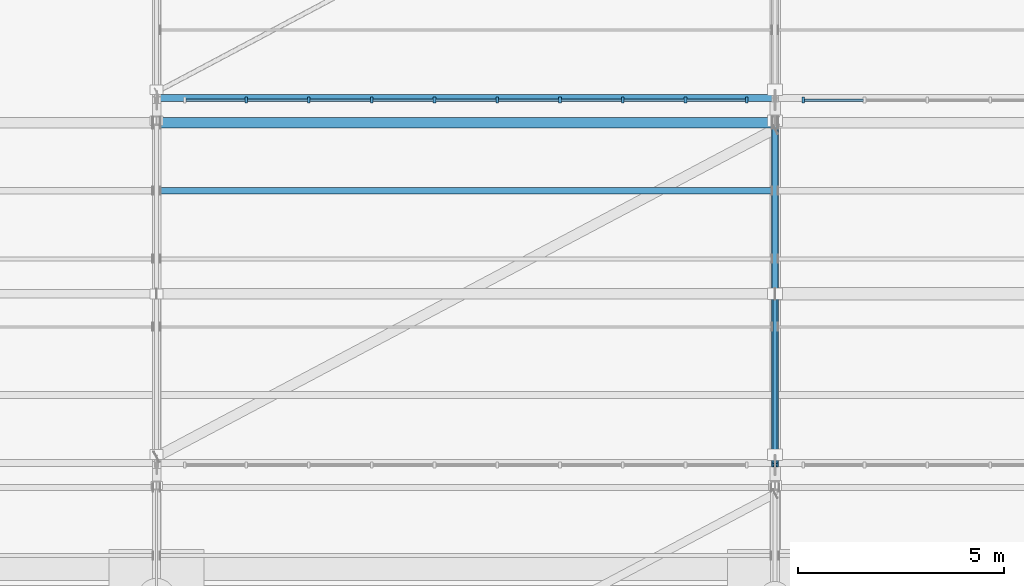
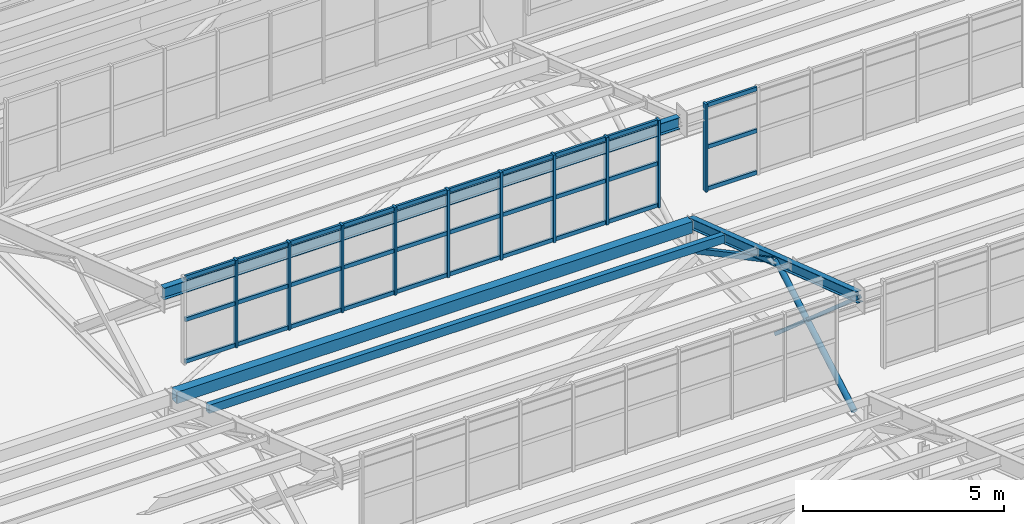
# One storey, part 67 of 285: 43 members, 4 beams, 2 elements without a shape of their own.
"""IFC4 building model written with IfcOpenShell, lengths in metres."""

from ifc_helpers import new_model, si_unit, direction, frame, origin, origin_2d, place, context, subcontext, project, spatial, rectangle, hollow_rectangle, hollow_circle, i_section, extrude, material, material_profile, profile_set, type_object, element, aggregate, save


model = new_model("IFC4")

# Units and contexts
model_context = context("Model", 3, precision=1e-05, world=origin(), true_north=direction((0.0, 1.0)))
body_context = subcontext(model_context, "Body", "Model", "MODEL_VIEW")
ifc_project = project(units=[si_unit("LENGTHUNIT", "METRE"), si_unit("AREAUNIT", "SQUARE_METRE"), si_unit("VOLUMEUNIT", "CUBIC_METRE"), si_unit("PLANEANGLEUNIT", "RADIAN"), si_unit("MASSUNIT", "GRAM", prefix="KILO")], contexts=[model_context])

# Site, building, storey
site_placement = place(None, origin())
site = spatial("IfcSite", under=ifc_project, at=site_placement, CompositionType="ELEMENT")
building_placement = place(site_placement, origin())
building = spatial("IfcBuilding", under=site, at=building_placement, Name="Solanera Park Tramway Depot", CompositionType="ELEMENT")
storey_placement = place(building_placement, origin())
storey = spatial("IfcBuildingStorey", under=building, at=storey_placement, Name="L00", CompositionType="ELEMENT", Elevation=0.0)

# Curtain wall, members
ifc_material_1 = material(Name="Bronze-anodised thermally broken aluminium curtain wall", Category="aluminium")
curtain_wall_type = type_object("IfcCurtainWallType", Name="Sawtooth Clerestory Monitor Curtain Wall", PredefinedType="NOTDEFINED", material=ifc_material_1)
curtain_wall_1_placement = place(storey_placement, origin())
curtain_wall_1 = element("IfcCurtainWall", 1, at=curtain_wall_1_placement, inside=storey, type_object=curtain_wall_type, Name="L00 Sawtooth Clerestory Monitor Curtain Wall #060", PredefinedType="NOTDEFINED")
ifc_material_2 = material(Name="Bronze-anodised structural aluminium 6063-T6", Category="aluminium")
ifc_material_profile_1 = material_profile(ifc_material_2, rectangle(XDim=0.06494140625, YDim=0.14990234375, at=origin_2d()), Name="Curtain Wall Mullion 65x150")
ifc_profile_set_1 = profile_set([ifc_material_profile_1], Name="Bronze-anodised structural aluminium 6063-T6")
member_type_1 = type_object("IfcMemberType", Name="Curtain Wall Mullion 65x150", PredefinedType="MULLION", material=ifc_profile_set_1)
member_1_placement = place(storey_placement, frame((17.172119140625, 126.550048828125, 7.75), z_axis=(0.0, 0.0, 1.0), x_axis=(1.0, 0.0, 0.0)))
member_1 = element("IfcMember", 2, at=member_1_placement, type_object=member_type_1, Name="CW-L00-060 Mullion 2", PredefinedType="MULLION", context=body_context, shape_type="SweptSolid", body=[
    extrude(rectangle(XDim=0.06494140625, YDim=0.14990234375, at=origin_2d()), origin(), (0.0, 0.0, 1.0), 2.6611328125),
])
member_2_placement = place(storey_placement, frame((18.6943359375, 126.550048828125, 7.75), z_axis=(0.0, 0.0, 1.0), x_axis=(1.0, 0.0, 0.0)))
member_2 = element("IfcMember", 3, at=member_2_placement, type_object=member_type_1, Name="CW-L00-060 Mullion 3", PredefinedType="MULLION", context=body_context, shape_type="SweptSolid", body=[
    extrude(rectangle(XDim=0.06494140625, YDim=0.14990234375, at=origin_2d()), origin(), (0.0, 0.0, 1.0), 2.6611328125),
])
member_3_placement = place(storey_placement, frame((20.216796875, 126.550048828125, 7.75), z_axis=(0.0, 0.0, 1.0), x_axis=(1.0, 0.0, 0.0)))
member_3 = element("IfcMember", 4, at=member_3_placement, type_object=member_type_1, Name="CW-L00-060 Mullion 4", PredefinedType="MULLION", context=body_context, shape_type="SweptSolid", body=[
    extrude(rectangle(XDim=0.06494140625, YDim=0.14990234375, at=origin_2d()), origin(), (0.0, 0.0, 1.0), 2.6611328125),
])
member_4_placement = place(storey_placement, frame((21.739013671875, 126.550048828125, 7.75), z_axis=(0.0, 0.0, 1.0), x_axis=(1.0, 0.0, 0.0)))
member_4 = element("IfcMember", 5, at=member_4_placement, type_object=member_type_1, Name="CW-L00-060 Mullion 5", PredefinedType="MULLION", context=body_context, shape_type="SweptSolid", body=[
    extrude(rectangle(XDim=0.06494140625, YDim=0.14990234375, at=origin_2d()), origin(), (0.0, 0.0, 1.0), 2.6611328125),
])
member_5_placement = place(storey_placement, frame((23.260986328125, 126.550048828125, 7.75), z_axis=(0.0, 0.0, 1.0), x_axis=(1.0, 0.0, 0.0)))
member_5 = element("IfcMember", 6, at=member_5_placement, type_object=member_type_1, Name="CW-L00-060 Mullion 6", PredefinedType="MULLION", context=body_context, shape_type="SweptSolid", body=[
    extrude(rectangle(XDim=0.06494140625, YDim=0.14990234375, at=origin_2d()), origin(), (0.0, 0.0, 1.0), 2.6611328125),
])
member_6_placement = place(storey_placement, frame((24.783203125, 126.550048828125, 7.75), z_axis=(0.0, 0.0, 1.0), x_axis=(1.0, 0.0, 0.0)))
member_6 = element("IfcMember", 7, at=member_6_placement, type_object=member_type_1, Name="CW-L00-060 Mullion 7", PredefinedType="MULLION", context=body_context, shape_type="SweptSolid", body=[
    extrude(rectangle(XDim=0.06494140625, YDim=0.14990234375, at=origin_2d()), origin(), (0.0, 0.0, 1.0), 2.6611328125),
])
member_7_placement = place(storey_placement, frame((26.3056640625, 126.550048828125, 7.75), z_axis=(0.0, 0.0, 1.0), x_axis=(1.0, 0.0, 0.0)))
member_7 = element("IfcMember", 8, at=member_7_placement, type_object=member_type_1, Name="CW-L00-060 Mullion 8", PredefinedType="MULLION", context=body_context, shape_type="SweptSolid", body=[
    extrude(rectangle(XDim=0.06494140625, YDim=0.14990234375, at=origin_2d()), origin(), (0.0, 0.0, 1.0), 2.6611328125),
])
member_8_placement = place(storey_placement, frame((27.827880859375, 126.550048828125, 7.75), z_axis=(0.0, 0.0, 1.0), x_axis=(1.0, 0.0, 0.0)))
member_8 = element("IfcMember", 9, at=member_8_placement, type_object=member_type_1, Name="CW-L00-060 Mullion 9", PredefinedType="MULLION", context=body_context, shape_type="SweptSolid", body=[
    extrude(rectangle(XDim=0.06494140625, YDim=0.14990234375, at=origin_2d()), origin(), (0.0, 0.0, 1.0), 2.6611328125),
])
member_9_placement = place(storey_placement, frame((29.3173828125, 126.550048828125, 7.75), z_axis=(0.0, 0.0, 1.0), x_axis=(1.0, 0.0, 0.0)))
member_9 = element("IfcMember", 10, at=member_9_placement, type_object=member_type_1, Name="CW-L00-060 Mullion 10", PredefinedType="MULLION", context=body_context, shape_type="SweptSolid", body=[
    extrude(rectangle(XDim=0.06494140625, YDim=0.14990234375, at=origin_2d()), origin(), (0.0, 0.0, 1.0), 2.6611328125),
])

# Curtain wall, member
curtain_wall_2_placement = place(storey_placement, origin())
curtain_wall_2 = element("IfcCurtainWall", 11, at=curtain_wall_2_placement, inside=storey, type_object=curtain_wall_type, Name="L00 Sawtooth Clerestory Monitor Curtain Wall #061", PredefinedType="NOTDEFINED")
member_10_placement = place(storey_placement, frame((30.6826171875, 126.550048828125, 7.75), z_axis=(0.0, 0.0, 1.0), x_axis=(1.0, 0.0, 0.0)))
member_10 = element("IfcMember", 12, at=member_10_placement, type_object=member_type_1, Name="CW-L00-061 Mullion 1", PredefinedType="MULLION", context=body_context, shape_type="SweptSolid", body=[
    extrude(rectangle(XDim=0.06494140625, YDim=0.14990234375, at=origin_2d()), origin(), (0.0, 0.0, 1.0), 2.6611328125),
])

# Member
ifc_material_3 = material(Name="Bronze-anodised structural aluminium 6063-T6", Category="aluminium")
ifc_material_profile_2 = material_profile(ifc_material_3, rectangle(XDim=0.06494140625, YDim=0.1201171875, at=origin_2d()), Name="Curtain Wall Transom 65x120")
ifc_profile_set_2 = profile_set([ifc_material_profile_2], Name="Bronze-anodised structural aluminium 6063-T6")
member_type_2 = type_object("IfcMemberType", Name="Curtain Wall Transom 65x120", PredefinedType="USERDEFINED", material=ifc_profile_set_2)
member_11_placement = place(storey_placement, frame((15.71044921875, 126.550048828125, 7.81005859375), z_axis=(1.0, 0.0, 0.0), x_axis=(0.0, 1.0, 0.0)))
member_11 = element("IfcMember", 13, at=member_11_placement, type_object=member_type_2, Name="CW-L00-060 Transom R1.C1", ObjectType="TRANSOM", PredefinedType="USERDEFINED", context=body_context, shape_type="SweptSolid", body=[
    extrude(rectangle(XDim=0.06494140625, YDim=0.1201171875, at=origin_2d()), origin(), (0.0, 0.0, 1.0), 1.433837890625),
])

member_12_placement = place(storey_placement, frame((17.2001953125, 126.550048828125, 7.81005859375), z_axis=(1.0, 0.0, 0.0), x_axis=(0.0, 1.0, 0.0)))
member_12 = element("IfcMember", 14, at=member_12_placement, type_object=member_type_2, Name="CW-L00-060 Transom R1.C2", ObjectType="TRANSOM", PredefinedType="USERDEFINED", context=body_context, shape_type="SweptSolid", body=[
    extrude(rectangle(XDim=0.06494140625, YDim=0.1201171875, at=origin_2d()), origin(), (0.0, 0.0, 1.0), 1.46630859375),
])

member_13_placement = place(storey_placement, frame((18.722412109375, 126.550048828125, 7.81005859375), z_axis=(1.0, 0.0, 0.0), x_axis=(0.0, 1.0, 0.0)))
member_13 = element("IfcMember", 15, at=member_13_placement, type_object=member_type_2, Name="CW-L00-060 Transom R1.C3", ObjectType="TRANSOM", PredefinedType="USERDEFINED", context=body_context, shape_type="SweptSolid", body=[
    extrude(rectangle(XDim=0.06494140625, YDim=0.1201171875, at=origin_2d()), origin(), (0.0, 0.0, 1.0), 1.46630859375),
])

member_14_placement = place(storey_placement, frame((20.24462890625, 126.550048828125, 7.81005859375), z_axis=(1.0, 0.0, 0.0), x_axis=(0.0, 1.0, 0.0)))
member_14 = element("IfcMember", 16, at=member_14_placement, type_object=member_type_2, Name="CW-L00-060 Transom R1.C4", ObjectType="TRANSOM", PredefinedType="USERDEFINED", context=body_context, shape_type="SweptSolid", body=[
    extrude(rectangle(XDim=0.06494140625, YDim=0.1201171875, at=origin_2d()), origin(), (0.0, 0.0, 1.0), 1.46630859375),
])

member_15_placement = place(storey_placement, frame((21.766845703125, 126.550048828125, 7.81005859375), z_axis=(1.0, 0.0, 0.0), x_axis=(0.0, 1.0, 0.0)))
member_15 = element("IfcMember", 17, at=member_15_placement, type_object=member_type_2, Name="CW-L00-060 Transom R1.C5", ObjectType="TRANSOM", PredefinedType="USERDEFINED", context=body_context, shape_type="SweptSolid", body=[
    extrude(rectangle(XDim=0.06494140625, YDim=0.1201171875, at=origin_2d()), origin(), (0.0, 0.0, 1.0), 1.46630859375),
])

member_16_placement = place(storey_placement, frame((23.2890625, 126.550048828125, 7.81005859375), z_axis=(1.0, 0.0, 0.0), x_axis=(0.0, 1.0, 0.0)))
member_16 = element("IfcMember", 18, at=member_16_placement, type_object=member_type_2, Name="CW-L00-060 Transom R1.C6", ObjectType="TRANSOM", PredefinedType="USERDEFINED", context=body_context, shape_type="SweptSolid", body=[
    extrude(rectangle(XDim=0.06494140625, YDim=0.1201171875, at=origin_2d()), origin(), (0.0, 0.0, 1.0), 1.46630859375),
])

member_17_placement = place(storey_placement, frame((24.811279296875, 126.550048828125, 7.81005859375), z_axis=(1.0, 0.0, 0.0), x_axis=(0.0, 1.0, 0.0)))
member_17 = element("IfcMember", 19, at=member_17_placement, type_object=member_type_2, Name="CW-L00-060 Transom R1.C7", ObjectType="TRANSOM", PredefinedType="USERDEFINED", context=body_context, shape_type="SweptSolid", body=[
    extrude(rectangle(XDim=0.06494140625, YDim=0.1201171875, at=origin_2d()), origin(), (0.0, 0.0, 1.0), 1.46630859375),
])

member_18_placement = place(storey_placement, frame((26.33349609375, 126.550048828125, 7.81005859375), z_axis=(1.0, 0.0, 0.0), x_axis=(0.0, 1.0, 0.0)))
member_18 = element("IfcMember", 20, at=member_18_placement, type_object=member_type_2, Name="CW-L00-060 Transom R1.C8", ObjectType="TRANSOM", PredefinedType="USERDEFINED", context=body_context, shape_type="SweptSolid", body=[
    extrude(rectangle(XDim=0.06494140625, YDim=0.1201171875, at=origin_2d()), origin(), (0.0, 0.0, 1.0), 1.46630859375),
])

member_19_placement = place(storey_placement, frame((27.855712890625, 126.550048828125, 7.81005859375), z_axis=(1.0, 0.0, 0.0), x_axis=(0.0, 1.0, 0.0)))
member_19 = element("IfcMember", 21, at=member_19_placement, type_object=member_type_2, Name="CW-L00-060 Transom R1.C9", ObjectType="TRANSOM", PredefinedType="USERDEFINED", context=body_context, shape_type="SweptSolid", body=[
    extrude(rectangle(XDim=0.06494140625, YDim=0.1201171875, at=origin_2d()), origin(), (0.0, 0.0, 1.0), 1.433837890625),
])

member_20_placement = place(storey_placement, frame((15.71044921875, 126.550048828125, 9.08056640625), z_axis=(1.0, 0.0, 0.0), x_axis=(0.0, 1.0, 0.0)))
member_20 = element("IfcMember", 22, at=member_20_placement, type_object=member_type_2, Name="CW-L00-060 Transom R2.C1", ObjectType="TRANSOM", PredefinedType="USERDEFINED", context=body_context, shape_type="SweptSolid", body=[
    extrude(rectangle(XDim=0.06494140625, YDim=0.1201171875, at=origin_2d()), origin(), (0.0, 0.0, 1.0), 1.433837890625),
])

member_21_placement = place(storey_placement, frame((17.2001953125, 126.550048828125, 9.08056640625), z_axis=(1.0, 0.0, 0.0), x_axis=(0.0, 1.0, 0.0)))
member_21 = element("IfcMember", 23, at=member_21_placement, type_object=member_type_2, Name="CW-L00-060 Transom R2.C2", ObjectType="TRANSOM", PredefinedType="USERDEFINED", context=body_context, shape_type="SweptSolid", body=[
    extrude(rectangle(XDim=0.06494140625, YDim=0.1201171875, at=origin_2d()), origin(), (0.0, 0.0, 1.0), 1.46630859375),
])

member_22_placement = place(storey_placement, frame((18.722412109375, 126.550048828125, 9.08056640625), z_axis=(1.0, 0.0, 0.0), x_axis=(0.0, 1.0, 0.0)))
member_22 = element("IfcMember", 24, at=member_22_placement, type_object=member_type_2, Name="CW-L00-060 Transom R2.C3", ObjectType="TRANSOM", PredefinedType="USERDEFINED", context=body_context, shape_type="SweptSolid", body=[
    extrude(rectangle(XDim=0.06494140625, YDim=0.1201171875, at=origin_2d()), origin(), (0.0, 0.0, 1.0), 1.46630859375),
])

member_23_placement = place(storey_placement, frame((20.24462890625, 126.550048828125, 9.08056640625), z_axis=(1.0, 0.0, 0.0), x_axis=(0.0, 1.0, 0.0)))
member_23 = element("IfcMember", 25, at=member_23_placement, type_object=member_type_2, Name="CW-L00-060 Transom R2.C4", ObjectType="TRANSOM", PredefinedType="USERDEFINED", context=body_context, shape_type="SweptSolid", body=[
    extrude(rectangle(XDim=0.06494140625, YDim=0.1201171875, at=origin_2d()), origin(), (0.0, 0.0, 1.0), 1.46630859375),
])

member_24_placement = place(storey_placement, frame((21.766845703125, 126.550048828125, 9.08056640625), z_axis=(1.0, 0.0, 0.0), x_axis=(0.0, 1.0, 0.0)))
member_24 = element("IfcMember", 26, at=member_24_placement, type_object=member_type_2, Name="CW-L00-060 Transom R2.C5", ObjectType="TRANSOM", PredefinedType="USERDEFINED", context=body_context, shape_type="SweptSolid", body=[
    extrude(rectangle(XDim=0.06494140625, YDim=0.1201171875, at=origin_2d()), origin(), (0.0, 0.0, 1.0), 1.46630859375),
])

member_25_placement = place(storey_placement, frame((23.2890625, 126.550048828125, 9.08056640625), z_axis=(1.0, 0.0, 0.0), x_axis=(0.0, 1.0, 0.0)))
member_25 = element("IfcMember", 27, at=member_25_placement, type_object=member_type_2, Name="CW-L00-060 Transom R2.C6", ObjectType="TRANSOM", PredefinedType="USERDEFINED", context=body_context, shape_type="SweptSolid", body=[
    extrude(rectangle(XDim=0.06494140625, YDim=0.1201171875, at=origin_2d()), origin(), (0.0, 0.0, 1.0), 1.46630859375),
])

member_26_placement = place(storey_placement, frame((24.811279296875, 126.550048828125, 9.08056640625), z_axis=(1.0, 0.0, 0.0), x_axis=(0.0, 1.0, 0.0)))
member_26 = element("IfcMember", 28, at=member_26_placement, type_object=member_type_2, Name="CW-L00-060 Transom R2.C7", ObjectType="TRANSOM", PredefinedType="USERDEFINED", context=body_context, shape_type="SweptSolid", body=[
    extrude(rectangle(XDim=0.06494140625, YDim=0.1201171875, at=origin_2d()), origin(), (0.0, 0.0, 1.0), 1.46630859375),
])

member_27_placement = place(storey_placement, frame((26.33349609375, 126.550048828125, 9.08056640625), z_axis=(1.0, 0.0, 0.0), x_axis=(0.0, 1.0, 0.0)))
member_27 = element("IfcMember", 29, at=member_27_placement, type_object=member_type_2, Name="CW-L00-060 Transom R2.C8", ObjectType="TRANSOM", PredefinedType="USERDEFINED", context=body_context, shape_type="SweptSolid", body=[
    extrude(rectangle(XDim=0.06494140625, YDim=0.1201171875, at=origin_2d()), origin(), (0.0, 0.0, 1.0), 1.46630859375),
])

member_28_placement = place(storey_placement, frame((27.855712890625, 126.550048828125, 9.08056640625), z_axis=(1.0, 0.0, 0.0), x_axis=(0.0, 1.0, 0.0)))
member_28 = element("IfcMember", 30, at=member_28_placement, type_object=member_type_2, Name="CW-L00-060 Transom R2.C9", ObjectType="TRANSOM", PredefinedType="USERDEFINED", context=body_context, shape_type="SweptSolid", body=[
    extrude(rectangle(XDim=0.06494140625, YDim=0.1201171875, at=origin_2d()), origin(), (0.0, 0.0, 1.0), 1.433837890625),
])

member_29_placement = place(storey_placement, frame((15.71044921875, 126.550048828125, 10.351318359375), z_axis=(1.0, 0.0, 0.0), x_axis=(0.0, 1.0, 0.0)))
member_29 = element("IfcMember", 31, at=member_29_placement, type_object=member_type_2, Name="CW-L00-060 Transom R3.C1", ObjectType="TRANSOM", PredefinedType="USERDEFINED", context=body_context, shape_type="SweptSolid", body=[
    extrude(rectangle(XDim=0.06494140625, YDim=0.1201171875, at=origin_2d()), origin(), (0.0, 0.0, 1.0), 1.433837890625),
])

member_30_placement = place(storey_placement, frame((17.2001953125, 126.550048828125, 10.351318359375), z_axis=(1.0, 0.0, 0.0), x_axis=(0.0, 1.0, 0.0)))
member_30 = element("IfcMember", 32, at=member_30_placement, type_object=member_type_2, Name="CW-L00-060 Transom R3.C2", ObjectType="TRANSOM", PredefinedType="USERDEFINED", context=body_context, shape_type="SweptSolid", body=[
    extrude(rectangle(XDim=0.06494140625, YDim=0.1201171875, at=origin_2d()), origin(), (0.0, 0.0, 1.0), 1.46630859375),
])

member_31_placement = place(storey_placement, frame((18.722412109375, 126.550048828125, 10.351318359375), z_axis=(1.0, 0.0, 0.0), x_axis=(0.0, 1.0, 0.0)))
member_31 = element("IfcMember", 33, at=member_31_placement, type_object=member_type_2, Name="CW-L00-060 Transom R3.C3", ObjectType="TRANSOM", PredefinedType="USERDEFINED", context=body_context, shape_type="SweptSolid", body=[
    extrude(rectangle(XDim=0.06494140625, YDim=0.1201171875, at=origin_2d()), origin(), (0.0, 0.0, 1.0), 1.46630859375),
])

member_32_placement = place(storey_placement, frame((20.24462890625, 126.550048828125, 10.351318359375), z_axis=(1.0, 0.0, 0.0), x_axis=(0.0, 1.0, 0.0)))
member_32 = element("IfcMember", 34, at=member_32_placement, type_object=member_type_2, Name="CW-L00-060 Transom R3.C4", ObjectType="TRANSOM", PredefinedType="USERDEFINED", context=body_context, shape_type="SweptSolid", body=[
    extrude(rectangle(XDim=0.06494140625, YDim=0.1201171875, at=origin_2d()), origin(), (0.0, 0.0, 1.0), 1.46630859375),
])

member_33_placement = place(storey_placement, frame((21.766845703125, 126.550048828125, 10.351318359375), z_axis=(1.0, 0.0, 0.0), x_axis=(0.0, 1.0, 0.0)))
member_33 = element("IfcMember", 35, at=member_33_placement, type_object=member_type_2, Name="CW-L00-060 Transom R3.C5", ObjectType="TRANSOM", PredefinedType="USERDEFINED", context=body_context, shape_type="SweptSolid", body=[
    extrude(rectangle(XDim=0.06494140625, YDim=0.1201171875, at=origin_2d()), origin(), (0.0, 0.0, 1.0), 1.46630859375),
])

member_34_placement = place(storey_placement, frame((23.2890625, 126.550048828125, 10.351318359375), z_axis=(1.0, 0.0, 0.0), x_axis=(0.0, 1.0, 0.0)))
member_34 = element("IfcMember", 36, at=member_34_placement, type_object=member_type_2, Name="CW-L00-060 Transom R3.C6", ObjectType="TRANSOM", PredefinedType="USERDEFINED", context=body_context, shape_type="SweptSolid", body=[
    extrude(rectangle(XDim=0.06494140625, YDim=0.1201171875, at=origin_2d()), origin(), (0.0, 0.0, 1.0), 1.46630859375),
])

member_35_placement = place(storey_placement, frame((24.811279296875, 126.550048828125, 10.351318359375), z_axis=(1.0, 0.0, 0.0), x_axis=(0.0, 1.0, 0.0)))
member_35 = element("IfcMember", 37, at=member_35_placement, type_object=member_type_2, Name="CW-L00-060 Transom R3.C7", ObjectType="TRANSOM", PredefinedType="USERDEFINED", context=body_context, shape_type="SweptSolid", body=[
    extrude(rectangle(XDim=0.06494140625, YDim=0.1201171875, at=origin_2d()), origin(), (0.0, 0.0, 1.0), 1.46630859375),
])

member_36_placement = place(storey_placement, frame((26.33349609375, 126.550048828125, 10.351318359375), z_axis=(1.0, 0.0, 0.0), x_axis=(0.0, 1.0, 0.0)))
member_36 = element("IfcMember", 38, at=member_36_placement, type_object=member_type_2, Name="CW-L00-060 Transom R3.C8", ObjectType="TRANSOM", PredefinedType="USERDEFINED", context=body_context, shape_type="SweptSolid", body=[
    extrude(rectangle(XDim=0.06494140625, YDim=0.1201171875, at=origin_2d()), origin(), (0.0, 0.0, 1.0), 1.46630859375),
])

member_37_placement = place(storey_placement, frame((27.855712890625, 126.550048828125, 10.351318359375), z_axis=(1.0, 0.0, 0.0), x_axis=(0.0, 1.0, 0.0)))
member_37 = element("IfcMember", 39, at=member_37_placement, type_object=member_type_2, Name="CW-L00-060 Transom R3.C9", ObjectType="TRANSOM", PredefinedType="USERDEFINED", context=body_context, shape_type="SweptSolid", body=[
    extrude(rectangle(XDim=0.06494140625, YDim=0.1201171875, at=origin_2d()), origin(), (0.0, 0.0, 1.0), 1.433837890625),
])

aggregate(curtain_wall_1, [member_1, member_2, member_3, member_4, member_5, member_6, member_7, member_8, member_9, member_11, member_12, member_13, member_14, member_15, member_16, member_17, member_18, member_19, member_20, member_21, member_22, member_23, member_24, member_25, member_26, member_27, member_28, member_29, member_30, member_31, member_32, member_33, member_34, member_35, member_36, member_37])

member_38_placement = place(storey_placement, frame((30.71044921875, 126.550048828125, 7.81005859375), z_axis=(1.0, 0.0, 0.0), x_axis=(0.0, 1.0, 0.0)))
member_38 = element("IfcMember", 40, at=member_38_placement, type_object=member_type_2, Name="CW-L00-061 Transom R1.C1", ObjectType="TRANSOM", PredefinedType="USERDEFINED", context=body_context, shape_type="SweptSolid", body=[
    extrude(rectangle(XDim=0.06494140625, YDim=0.1201171875, at=origin_2d()), origin(), (0.0, 0.0, 1.0), 1.433837890625),
])

member_39_placement = place(storey_placement, frame((30.71044921875, 126.550048828125, 9.08056640625), z_axis=(1.0, 0.0, 0.0), x_axis=(0.0, 1.0, 0.0)))
member_39 = element("IfcMember", 41, at=member_39_placement, type_object=member_type_2, Name="CW-L00-061 Transom R2.C1", ObjectType="TRANSOM", PredefinedType="USERDEFINED", context=body_context, shape_type="SweptSolid", body=[
    extrude(rectangle(XDim=0.06494140625, YDim=0.1201171875, at=origin_2d()), origin(), (0.0, 0.0, 1.0), 1.433837890625),
])

member_40_placement = place(storey_placement, frame((30.71044921875, 126.550048828125, 10.351318359375), z_axis=(1.0, 0.0, 0.0), x_axis=(0.0, 1.0, 0.0)))
member_40 = element("IfcMember", 42, at=member_40_placement, type_object=member_type_2, Name="CW-L00-061 Transom R3.C1", ObjectType="TRANSOM", PredefinedType="USERDEFINED", context=body_context, shape_type="SweptSolid", body=[
    extrude(rectangle(XDim=0.06494140625, YDim=0.1201171875, at=origin_2d()), origin(), (0.0, 0.0, 1.0), 1.433837890625),
])

aggregate(curtain_wall_2, [member_10, member_38, member_39, member_40])

ifc_material_4 = material(Name="Steel AS/NZS 1163 Grade C350L0", Category="steel")
ifc_material_profile_3 = material_profile(ifc_material_4, hollow_circle(Radius=0.084228515625, WallThickness=0.00634765625, at=origin_2d()), Name="168.3x6.4 CHS")
ifc_profile_set_3 = profile_set([ifc_material_profile_3], Name="Steel AS/NZS 1163 Grade C350L0")
member_type_3 = type_object("IfcMemberType", Name="Roof Gantry Compression Strut 168.3x6.4 CHS", PredefinedType="STRUT", material=ifc_profile_set_3)
member_41_placement = place(storey_placement, frame((30.0, 117.949951171875, 6.5), z_axis=(0.0, 0.866897509249, 0.498486417525), x_axis=(-1.0, 0.0, 0.0)))
element("IfcMember", 43, at=member_41_placement, inside=storey, type_object=member_type_3, Name="Sawtooth ROOF TRUSS Strut 168.3x6.4 CHS #0328", PredefinedType="STRUT", context=body_context, shape_type="SweptSolid", body=[
    extrude(hollow_circle(Radius=0.084228515625, WallThickness=0.00634765625, at=origin_2d()), origin(), (0.0, 0.0, 1.0), 4.4990234375),
])

# Beams
ifc_material_5 = material(Name="Steel AS/NZS 3679.1 Grade 350", Category="steel")
ifc_material_profile_4 = material_profile(ifc_material_5, i_section(OverallWidth=0.166015625, OverallDepth=0.30712890625, WebThickness=0.006591796875, FlangeThickness=0.01171875, at=origin_2d()), Name="310UB46.2")
ifc_profile_set_4 = profile_set([ifc_material_profile_4], Name="Steel AS/NZS 3679.1 Grade 350")
beam_type_1 = type_object("IfcBeamType", Name="Steel Beam 310UB46.2", PredefinedType="BEAM", material=ifc_profile_set_4)
beam_1_placement = place(storey_placement, frame((30.0, 117.699951171875, 10.131103515625), z_axis=(0.0, 0.948330572612, -0.317283981709), x_axis=(-1.0, 0.0, 0.0)))
element("IfcBeam", 44, at=beam_1_placement, inside=storey, type_object=beam_type_1, Name="Sawtooth ROOF TRUSS Top Rafter 310UB46.2 B08-T3", PredefinedType="BEAM", context=body_context, shape_type="SweptSolid", body=[
    extrude(i_section(OverallWidth=0.166015625, OverallDepth=0.30712890625, WebThickness=0.006591796875, FlangeThickness=0.01171875, at=origin_2d()), origin(), (0.0, 0.0, 1.0), 8.804931640625),
])
ifc_material_6 = material(Name="Steel AS/NZS 1163 Grade C350L0", Category="steel")
ifc_material_profile_5 = material_profile(ifc_material_6, hollow_rectangle(XDim=0.14990234375, YDim=0.25, WallThickness=0.008056640625, at=origin_2d()), Name="250x150x8.0 RHS")
ifc_profile_set_5 = profile_set([ifc_material_profile_5], Name="Steel AS/NZS 1163 Grade C350L0")
beam_type_2 = type_object("IfcBeamType", Name="Steel Joist Purlin 250x150x8.0 RHS", PredefinedType="JOIST", material=ifc_profile_set_5)
beam_2_placement = place(storey_placement, frame((15.0966796875, 124.35009765625, 7.931640625), z_axis=(1.0, 0.0, 0.0), x_axis=(0.0, 1.0, 0.0)))
element("IfcBeam", 45, at=beam_2_placement, inside=storey, type_object=beam_type_2, Name="Sawtooth Roof Purlin 250x150x8.0 RHS B08.5", PredefinedType="JOIST", context=body_context, shape_type="SweptSolid", body=[
    extrude(hollow_rectangle(XDim=0.14990234375, YDim=0.25, WallThickness=0.008056640625, at=origin_2d()), origin(), (0.0, 0.0, 1.0), 14.828369140625),
])
ifc_material_7 = material(Name="Steel AS/NZS 1163 Grade C350L0", Category="steel")
ifc_material_profile_6 = material_profile(ifc_material_7, hollow_rectangle(XDim=0.25, YDim=0.35009765625, WallThickness=0.010009765625, at=origin_2d()), Name="350x250x10.0 RHS")
ifc_profile_set_6 = profile_set([ifc_material_profile_6], Name="Steel AS/NZS 1163 Grade C350L0")
beam_type_3 = type_object("IfcBeamType", Name="Steel Joist Purlin 350x250x10.0 RHS", PredefinedType="JOIST", material=ifc_profile_set_6)
beam_3_placement = place(storey_placement, frame((15.0966796875, 126.0, 7.312744140625), z_axis=(1.0, 0.0, 0.0), x_axis=(0.0, 1.0, 0.0)))
element("IfcBeam", 46, at=beam_3_placement, inside=storey, type_object=beam_type_3, Name="Sawtooth Roof Purlin 350x250x10.0 RHS B08.6", PredefinedType="JOIST", context=body_context, shape_type="SweptSolid", body=[
    extrude(hollow_rectangle(XDim=0.25, YDim=0.35009765625, WallThickness=0.010009765625, at=origin_2d()), origin(), (0.0, 0.0, 1.0), 14.828369140625),
])
ifc_material_8 = material(Name="Steel AS/NZS 3679.1 Grade 350", Category="steel")
ifc_material_profile_7 = material_profile(ifc_material_8, i_section(OverallWidth=0.17138671875, OverallDepth=0.355712890625, WebThickness=0.00732421875, FlangeThickness=0.011474609375, at=origin_2d()), Name="360UB50.7")
ifc_profile_set_7 = profile_set([ifc_material_profile_7], Name="Steel AS/NZS 3679.1 Grade 350")
beam_type_4 = type_object("IfcBeamType", Name="Steel Joist Purlin 360UB50.7", PredefinedType="JOIST", material=ifc_profile_set_7)
beam_4_placement = place(storey_placement, frame((15.0966796875, 126.60009765625, 10.08349609375), z_axis=(1.0, 0.0, 0.0), x_axis=(0.0, 1.0, 0.0)))
element("IfcBeam", 47, at=beam_4_placement, inside=storey, type_object=beam_type_4, Name="Sawtooth Roof Purlin 360UB50.7 B09.1", PredefinedType="JOIST", context=body_context, shape_type="SweptSolid", body=[
    extrude(i_section(OverallWidth=0.17138671875, OverallDepth=0.355712890625, WebThickness=0.00732421875, FlangeThickness=0.011474609375, at=origin_2d()), origin(), (0.0, 0.0, 1.0), 14.828369140625),
])

# Members
ifc_material_9 = material(Name="Steel AS/NZS 1163 Grade C350L0", Category="steel")
ifc_material_profile_8 = material_profile(ifc_material_9, hollow_rectangle(XDim=0.10009765625, YDim=0.10009765625, WallThickness=0.0048828125, at=origin_2d()), Name="100x100x5.0 SHS")
ifc_profile_set_8 = profile_set([ifc_material_profile_8], Name="Steel AS/NZS 1163 Grade C350L0")
member_type_4 = type_object("IfcMemberType", Name="Truss and Frame Brace 100x100x5.0 SHS", PredefinedType="BRACE", material=ifc_profile_set_8)
member_42_placement = place(storey_placement, frame((30.0, 121.85009765625, 6.5), z_axis=(0.0, -0.752601377508, 0.658476397886), x_axis=(1.0, 0.0, 0.0)))
element("IfcMember", 48, at=member_42_placement, inside=storey, type_object=member_type_4, Name="Sawtooth ROOF TRUSS Web Brace 100x100x5.0 SHS #0326", PredefinedType="BRACE", context=body_context, shape_type="SweptSolid", body=[
    extrude(hollow_rectangle(XDim=0.10009765625, YDim=0.10009765625, WallThickness=0.0048828125, at=origin_2d()), origin(), (0.0, 0.0, 1.0), 5.514404296875),
])
ifc_material_10 = material(Name="Steel AS/NZS 1163 Grade C350L0", Category="steel")
ifc_material_profile_9 = material_profile(ifc_material_10, hollow_rectangle(XDim=0.14990234375, YDim=0.14990234375, WallThickness=0.006103515625, at=origin_2d()), Name="150x150x6.0 SHS")
ifc_profile_set_9 = profile_set([ifc_material_profile_9], Name="Steel AS/NZS 1163 Grade C350L0")
member_type_5 = type_object("IfcMemberType", Name="Truss and Frame Brace 150x150x6.0 SHS", PredefinedType="BRACE", material=ifc_profile_set_9)
member_43_placement = place(storey_placement, frame((30.0, 126.050048828125, 6.5), z_axis=(0.0, -0.882117205046, 0.471029974165), x_axis=(1.0, 0.0, 0.0)))
element("IfcMember", 49, at=member_43_placement, inside=storey, type_object=member_type_5, Name="Sawtooth ROOF TRUSS Diagonal 150x150x6.0 SHS #0327", PredefinedType="BRACE", context=body_context, shape_type="SweptSolid", body=[
    extrude(hollow_rectangle(XDim=0.14990234375, YDim=0.14990234375, WallThickness=0.006103515625, at=origin_2d()), origin(), (0.0, 0.0, 1.0), 4.76123046875),
])

save(model, "model.ifc")
